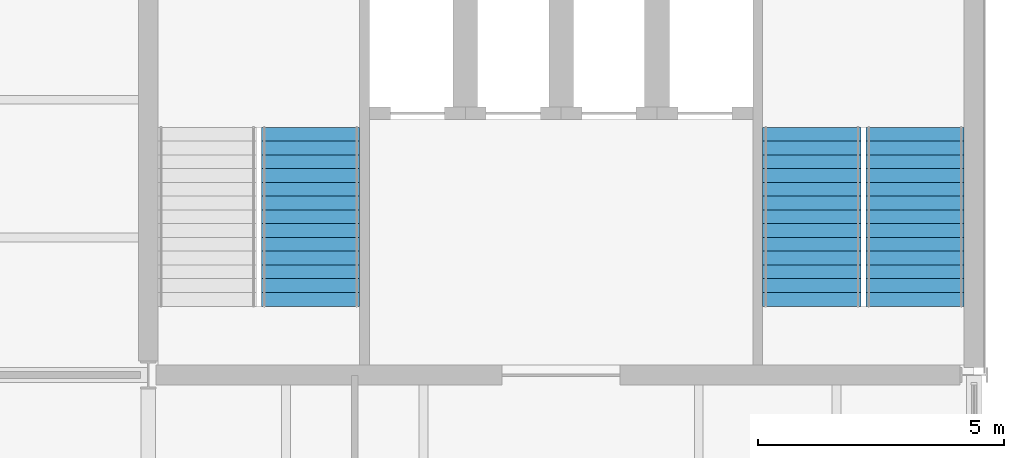
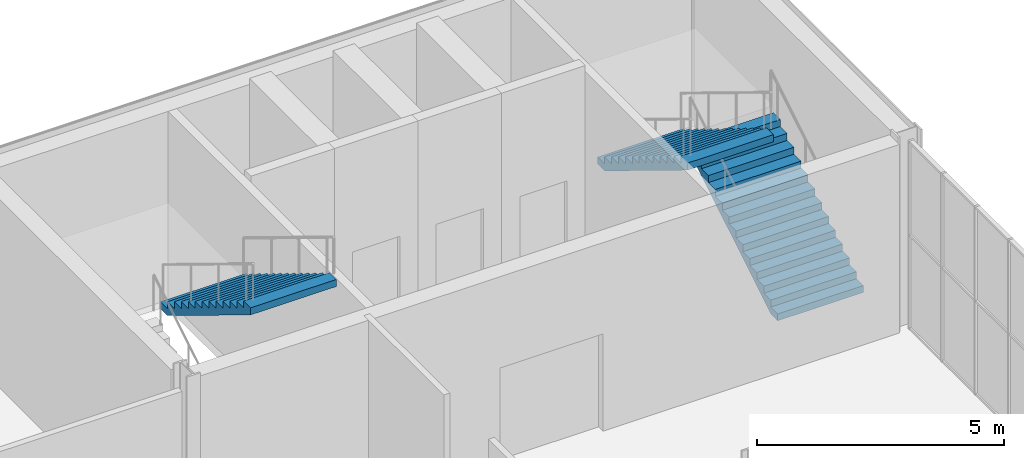
# One storey, part 43 of 61: 3 stair flights, 2 elements without a shape of their own.
"""IFC4 building model written with IfcOpenShell, lengths in metres."""

from ifc_helpers import new_model, si_unit, direction, frame, origin, place, context, subcontext, project, spatial, polyline, outline, extrude, material, type_object, element, aggregate, save


model = new_model("IFC4")

# Units and contexts
model_context = context("Model", 3, precision=1e-05, world=origin(), true_north=direction((0.0, 1.0)))
body_context = subcontext(model_context, "Body", "Model", "MODEL_VIEW")
ifc_project = project(units=[si_unit("LENGTHUNIT", "METRE"), si_unit("AREAUNIT", "SQUARE_METRE"), si_unit("VOLUMEUNIT", "CUBIC_METRE"), si_unit("PLANEANGLEUNIT", "RADIAN"), si_unit("MASSUNIT", "GRAM", prefix="KILO")], contexts=[model_context])

# Site, building, storey
site_placement = place(None, origin())
site = spatial("IfcSite", under=ifc_project, at=site_placement, CompositionType="ELEMENT")
building_placement = place(site_placement, origin())
building = spatial("IfcBuilding", under=site, at=building_placement, Name="Galleria Vessillo Department Store", CompositionType="ELEMENT")
storey_placement = place(building_placement, frame((0.0, 0.0, 11.39990234375)))
storey = spatial("IfcBuildingStorey", under=building, at=storey_placement, Name="L02", CompositionType="ELEMENT", Elevation=11.39990234375)

# Stair, stair flight
ifc_material_1 = material(Name="Concrete C32/40", Category="concrete")
stair_type = type_object("IfcStairType", Name="Half-turn escape stair 2000 mm, 28 risers of 171 mm", PredefinedType="HALF_TURN_STAIR", material=ifc_material_1)
stair_1_placement = place(storey_placement, origin())
stair_1 = element("IfcStair", 1, at=stair_1_placement, inside=storey, type_object=stair_type, Name="Stair ST8 L02", PredefinedType="HALF_TURN_STAIR")
ifc_material_2 = material(Name="Concrete C32/40", Category="concrete")
stair_flight_type = type_object("IfcStairFlightType", Name="Stair flight 2000 mm, 14 risers of 171 mm", PredefinedType="STRAIGHT", material=ifc_material_2)
stair_flight_1_placement = place(storey_placement, frame((104.10009765625, 59.639404296875, 2.400146484375), z_axis=(0.0, 0.0, 1.0), x_axis=(0.0, -1.0, 0.0)))
stair_flight_1 = element("IfcStairFlight", 2, at=stair_flight_1_placement, type_object=stair_flight_type, Name="ST8 flight 2", NumberOfRisers=14, NumberOfTreads=13, PredefinedType="STRAIGHT", RiserHeight=0.171428571, TreadLength=0.28, context=body_context, shape_type="SweptSolid", body=[
    extrude(outline(polyline([(0.0, 0.0), (0.0, 0.17138671875), (0.280029296875, 0.17138671875), (0.280029296875, 0.3427734375), (0.56005859375, 0.3427734375), (0.56005859375, 0.514404296875), (0.840087890625, 0.514404296875), (0.840087890625, 0.685791015625), (1.1201171875, 0.685791015625), (1.1201171875, 0.857177734375), (1.39990234375, 0.857177734375), (1.39990234375, 1.028564453125), (1.679931640625, 1.028564453125), (1.679931640625, 1.199951171875), (1.9599609375, 1.199951171875), (1.9599609375, 1.371337890625), (2.239990234375, 1.371337890625), (2.239990234375, 1.54296875), (2.52001953125, 1.54296875), (2.52001953125, 1.71435546875), (2.800048828125, 1.71435546875), (2.800048828125, 1.8857421875), (3.080078125, 1.8857421875), (3.080078125, 2.05712890625), (3.360107421875, 2.05712890625), (3.360107421875, 2.228515625), (3.639892578125, 2.228515625), (3.639892578125, 2.39990234375), (3.639892578125, 2.052734375), (0.287109375, 0.0), (0.0, 0.0)])), frame((0.0, 1.0, 0.0), z_axis=(0.0, -1.0, 0.0), x_axis=(1.0, 0.0, 0.0)), (0.0, 0.0, 1.0), 2.0),
])
aggregate(stair_1, [stair_flight_1])

# Stair, stair flights
stair_2_placement = place(storey_placement, origin())
stair_2 = element("IfcStair", 3, at=stair_2_placement, inside=storey, type_object=stair_type, Name="Stair ST9 L02", PredefinedType="HALF_TURN_STAIR")
stair_flight_2_placement = place(storey_placement, frame((116.39990234375, 55.99951171875, 0.0), z_axis=(0.0, 0.0, 1.0), x_axis=(0.0, 1.0, 0.0)))
stair_flight_2 = element("IfcStairFlight", 4, at=stair_flight_2_placement, type_object=stair_flight_type, Name="ST9 flight 1", NumberOfRisers=14, NumberOfTreads=13, PredefinedType="STRAIGHT", RiserHeight=0.171428571, TreadLength=0.28, context=body_context, shape_type="SweptSolid", body=[
    extrude(outline(polyline([(0.0, 0.0), (0.0, 0.17138671875), (0.280029296875, 0.17138671875), (0.280029296875, 0.3427734375), (0.56005859375, 0.3427734375), (0.56005859375, 0.514404296875), (0.840087890625, 0.514404296875), (0.840087890625, 0.685791015625), (1.1201171875, 0.685791015625), (1.1201171875, 0.857177734375), (1.39990234375, 0.857177734375), (1.39990234375, 1.028564453125), (1.679931640625, 1.028564453125), (1.679931640625, 1.199951171875), (1.9599609375, 1.199951171875), (1.9599609375, 1.371337890625), (2.239990234375, 1.371337890625), (2.239990234375, 1.54296875), (2.52001953125, 1.54296875), (2.52001953125, 1.71435546875), (2.800048828125, 1.71435546875), (2.800048828125, 1.8857421875), (3.080078125, 1.8857421875), (3.080078125, 2.05712890625), (3.360107421875, 2.05712890625), (3.360107421875, 2.228515625), (3.639892578125, 2.228515625), (3.639892578125, 2.39990234375), (3.639892578125, 2.052734375), (0.287109375, 0.0), (0.0, 0.0)])), frame((0.0, 1.0, 0.0), z_axis=(0.0, -1.0, 0.0), x_axis=(1.0, 0.0, 0.0)), (0.0, 0.0, 1.0), 2.0),
])
stair_flight_3_placement = place(storey_placement, frame((114.300048828125, 59.639404296875, 2.400146484375), z_axis=(0.0, 0.0, 1.0), x_axis=(0.0, -1.0, 0.0)))
stair_flight_3 = element("IfcStairFlight", 5, at=stair_flight_3_placement, type_object=stair_flight_type, Name="ST9 flight 2", NumberOfRisers=14, NumberOfTreads=13, PredefinedType="STRAIGHT", RiserHeight=0.171428571, TreadLength=0.28, context=body_context, shape_type="SweptSolid", body=[
    extrude(outline(polyline([(0.0, 0.0), (0.0, 0.17138671875), (0.280029296875, 0.17138671875), (0.280029296875, 0.3427734375), (0.56005859375, 0.3427734375), (0.56005859375, 0.514404296875), (0.840087890625, 0.514404296875), (0.840087890625, 0.685791015625), (1.1201171875, 0.685791015625), (1.1201171875, 0.857177734375), (1.39990234375, 0.857177734375), (1.39990234375, 1.028564453125), (1.679931640625, 1.028564453125), (1.679931640625, 1.199951171875), (1.9599609375, 1.199951171875), (1.9599609375, 1.371337890625), (2.239990234375, 1.371337890625), (2.239990234375, 1.54296875), (2.52001953125, 1.54296875), (2.52001953125, 1.71435546875), (2.800048828125, 1.71435546875), (2.800048828125, 1.8857421875), (3.080078125, 1.8857421875), (3.080078125, 2.05712890625), (3.360107421875, 2.05712890625), (3.360107421875, 2.228515625), (3.639892578125, 2.228515625), (3.639892578125, 2.39990234375), (3.639892578125, 2.052734375), (0.287109375, 0.0), (0.0, 0.0)])), frame((0.0, 1.0, 0.0), z_axis=(0.0, -1.0, 0.0), x_axis=(1.0, 0.0, 0.0)), (0.0, 0.0, 1.0), 2.0),
])
aggregate(stair_2, [stair_flight_2, stair_flight_3])

save(model, "model.ifc")
